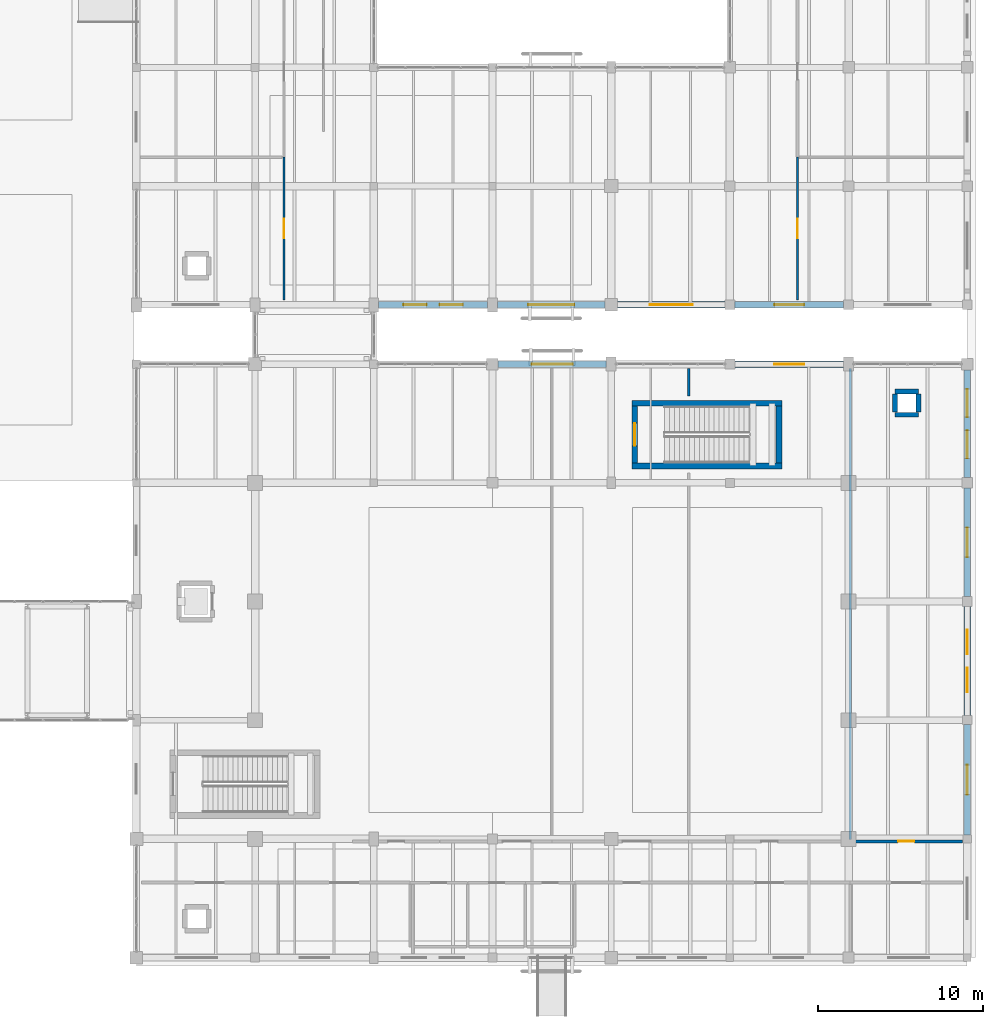
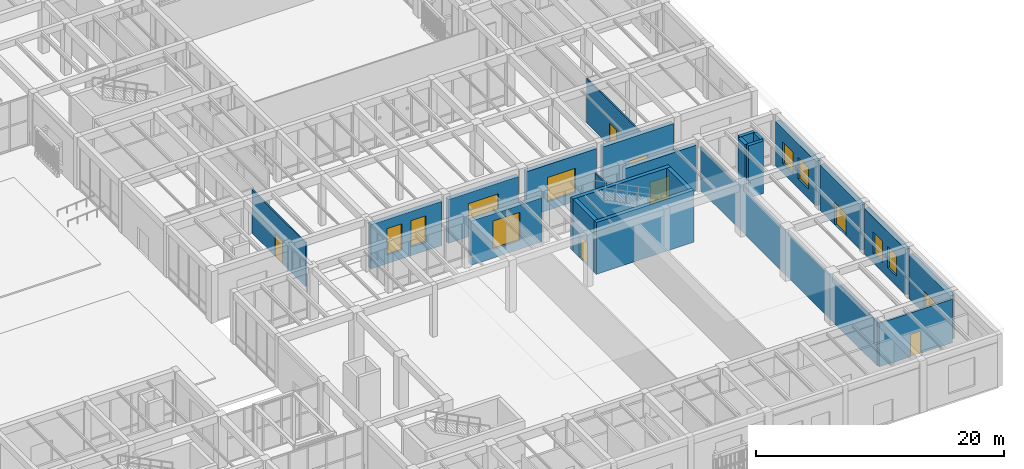
# One storey, part 130 of 169: 23 walls, 9 windows, 8 doors, 17 openings.
"""IFC4 building model written with IfcOpenShell, lengths in metres."""

import ifcopenshell
import ifcopenshell.guid

model = None  # the IFC model being written
_history = None  # IfcOwnerHistory: only IFC2X3 demands one
_inside = {}  # id of a spatial element -> (the spatial element, [elements in it])
_under = {}  # id of a project, library or spatial element -> (it, [spatial elements below it])
_declared = {}  # id of a project -> (the project, [libraries it declares])
_typed = {}  # id of a type object -> (the type object, [elements of that type])
_made_of = {}  # id of a material, layer set ... -> (it, [elements and type objects made of it])


def new_model(schema):
    """Start an empty IFC model of exactly this schema.

    Asked for "IFC4X3", IfcOpenShell would pick the latest addendum, in which some entities
    have other attributes; the version numbers below select the first issue.
    IFC2X3 requires an IfcOwnerHistory on every rooted entity: one is made here for all.
    """
    global model, _history
    if schema == "IFC4X3":
        model = ifcopenshell.file(schema_version=(4, 3, 0, 0))
    else:
        model = ifcopenshell.file(schema=schema)
    _inside.clear()
    _under.clear()
    _declared.clear()
    _typed.clear()
    _made_of.clear()
    _history = None
    if model.schema == "IFC2X3":
        org = make("IfcOrganization", Name="unknown")
        user = make(
            "IfcPersonAndOrganization",
            ThePerson=make("IfcPerson", FamilyName="unknown"),
            TheOrganization=org,
        )
        app = make(
            "IfcApplication",
            ApplicationDeveloper=org,
            Version="unknown",
            ApplicationFullName="unknown",
            ApplicationIdentifier="unknown",
        )
        _history = make(
            "IfcOwnerHistory",
            OwningUser=user,
            OwningApplication=app,
            ChangeAction="ADDED",
            CreationDate=0,
        )
    return model


def make(cls, **values):
    """One entity of the class cls with the attributes given. An attribute that is None is left unset."""
    return model.create_entity(
        cls, **{name: value for name, value in values.items() if value is not None}
    )


def rooted(cls, **values):
    """An entity with a GlobalId (a new one), such as an element, a storey or a relation."""
    return make(cls, GlobalId=ifcopenshell.guid.new(), OwnerHistory=_history, **values)


def si_unit(unit_type, name, prefix=None):
    """IfcSIUnit, for example si_unit("LENGTHUNIT", "METRE", prefix="MILLI")."""
    return make("IfcSIUnit", UnitType=unit_type, Prefix=prefix, Name=name)


def assignment(units):
    """IfcUnitAssignment: the units of a project."""
    return None if units is None else make("IfcUnitAssignment", Units=units)


def point(xyz):
    """IfcCartesianPoint."""
    return None if xyz is None else make("IfcCartesianPoint", Coordinates=xyz)


def direction(xyz):
    """IfcDirection."""
    return None if xyz is None else make("IfcDirection", DirectionRatios=xyz)


def frame(location, z_axis=None, x_axis=None):
    """IfcAxis2Placement3D, a coordinate frame: its origin and axes. An axis left out is left unset."""
    return make(
        "IfcAxis2Placement3D",
        Location=point(location),
        Axis=direction(z_axis),
        RefDirection=direction(x_axis),
    )


def frame_2d(location, x_axis=None):
    """IfcAxis2Placement2D, a coordinate frame in the plane: its origin and x axis."""
    return make(
        "IfcAxis2Placement2D", Location=point(location), RefDirection=direction(x_axis)
    )


def origin():
    """The frame at (0, 0, 0) with its axes left unset."""
    return frame((0.0, 0.0, 0.0))


def place(relative_to, where):
    """IfcLocalPlacement: puts the frame where relative to a parent placement (None: the world)."""
    return make(
        "IfcLocalPlacement", PlacementRelTo=relative_to, RelativePlacement=where
    )


def context(
    kind, dimensions, precision=None, world=None, true_north=None, identifier=None
):
    """IfcGeometricRepresentationContext, for example the 3D "Model" context."""
    return make(
        "IfcGeometricRepresentationContext",
        ContextIdentifier=identifier,
        ContextType=kind,
        CoordinateSpaceDimension=dimensions,
        Precision=precision,
        WorldCoordinateSystem=world,
        TrueNorth=true_north,
    )


def subcontext(parent, identifier, kind, view, scale=None):
    """IfcGeometricRepresentationSubContext, for example "Body" below "Model"."""
    return make(
        "IfcGeometricRepresentationSubContext",
        ContextIdentifier=identifier,
        ContextType=kind,
        ParentContext=parent,
        TargetScale=scale,
        TargetView=view,
    )


def project(units=None, contexts=None):
    """IfcProject with its units and contexts."""
    return rooted(
        "IfcProject",
        Name="project",
        RepresentationContexts=contexts,
        UnitsInContext=assignment(units),
    )


def spatial(cls, under=None, at=None, **own):
    """A site, building, storey or space (cls), placed at a placement, below another one or the project."""
    s = rooted(cls, ObjectPlacement=at, **own)
    if under is not None:
        _under.setdefault(under.id(), (under, []))[1].append(s)
    return s


def profile(cls, at=None, kind="AREA", **sizes):
    """A parametric profile (cls). Its sizes go by their IFC names, for example OverallWidth=200.0."""
    return make(cls, ProfileType=kind, Position=at, **sizes)


def rectangle(**sizes):
    """IfcRectangleProfileDef."""
    return profile("IfcRectangleProfileDef", **sizes)


def extrude(swept, where, along, depth):
    """IfcExtrudedAreaSolid: the profile swept, set in the frame where, extruded along a direction by depth."""
    return make(
        "IfcExtrudedAreaSolid",
        SweptArea=swept,
        Position=where,
        ExtrudedDirection=direction(along),
        Depth=depth,
    )


def shape(context_of_items, identifier, shape_type, items):
    """IfcShapeRepresentation: the items that make up one representation, for example the "Body"."""
    return make(
        "IfcShapeRepresentation",
        ContextOfItems=context_of_items,
        RepresentationIdentifier=identifier,
        RepresentationType=shape_type,
        Items=items,
    )


def material(Name=None, Category=None):
    """IfcMaterial."""
    return make("IfcMaterial", Name=Name, Category=Category)


def layer(
    of_material, thickness, ventilated=None, Name=None, Category=None, Priority=None
):
    """IfcMaterialLayer: one layer of a wall or slab, of a material (None: an air gap)."""
    return make(
        "IfcMaterialLayer",
        Material=of_material,
        LayerThickness=thickness,
        IsVentilated=ventilated,
        Name=Name,
        Category=Category,
        Priority=Priority,
    )


def layer_set(layers, Name=None):
    """IfcMaterialLayerSet."""
    return make("IfcMaterialLayerSet", MaterialLayers=layers, LayerSetName=Name)


def made_of(thing, what):
    """Note that an element or type object is made of a material, layer set ...; save() writes the relation."""
    if what is not None:
        _made_of.setdefault(what.id(), (what, []))[1].append(thing)
    return thing


def type_object(cls, material=None, **own):
    """A type object (cls), such as IfcWallType, which elements share."""
    return made_of(rooted(cls, **own), material)


def element(
    cls,
    number,
    at=None,
    inside=None,
    cuts=None,
    type_object=None,
    material=None,
    context=None,
    identifier="Body",
    shape_type=None,
    held_by="IfcProductDefinitionShape",
    body=None,
    shapes=None,
    **own,
):
    """One element of the class cls, such as IfcWall. Its Tag is "e" and its number.

    at: its placement. inside: the storey or other place that contains it. cuts: it is an
    opening in that element (IfcRelVoidsElement). A single representation is given by context,
    identifier, shape_type and body (its items); several are given by shapes. held_by: the class
    of the entity that holds the representations. save() writes the other relations.
    """
    e = rooted(cls, Tag="e%d" % number, ObjectPlacement=at, **own)
    if body is not None:
        shapes = [shape(context, identifier, shape_type, body)]
    if shapes is not None:
        e.Representation = make(held_by, Representations=shapes)
    if inside is not None:
        _inside.setdefault(inside.id(), (inside, []))[1].append(e)
    if cuts is not None:
        rooted(
            "IfcRelVoidsElement", RelatingBuildingElement=cuts, RelatedOpeningElement=e
        )
    if type_object is not None:
        _typed.setdefault(type_object.id(), (type_object, []))[1].append(e)
    return made_of(e, material)


def fill(opening, filler):
    """IfcRelFillsElement: the door or window that sits in an opening."""
    return rooted(
        "IfcRelFillsElement",
        RelatingOpeningElement=opening,
        RelatedBuildingElement=filler,
    )


def aggregate(whole, parts):
    """IfcRelAggregates: a whole, such as a stair, and the parts it consists of."""
    return rooted("IfcRelAggregates", RelatingObject=whole, RelatedObjects=parts)


def save(model, path):
    """Write the relations noted so far, then the file.

    IfcRelAggregates (storeys below a building ...), IfcRelContainedInSpatialStructure (elements
    in a storey), IfcRelDefinesByType, IfcRelAssociatesMaterial and IfcRelDeclares: one each for
    every whole, place, type object, material and project.
    """
    for whole, parts in _under.values():
        aggregate(whole, parts)
    for where, things in _inside.values():
        rooted(
            "IfcRelContainedInSpatialStructure",
            RelatedElements=things,
            RelatingStructure=where,
        )
    for kind, things in _typed.values():
        rooted("IfcRelDefinesByType", RelatedObjects=things, RelatingType=kind)
    for what, things in _made_of.values():
        rooted("IfcRelAssociatesMaterial", RelatedObjects=things, RelatingMaterial=what)
    for by, libraries in _declared.values():
        rooted("IfcRelDeclares", RelatingContext=by, RelatedDefinitions=libraries)
    model.write(path)


model = new_model("IFC4")

# Units and contexts
model_context = context("Model", 3, precision=1e-05, world=origin(), true_north=direction((0.0, 1.0)))
body_context = subcontext(model_context, "Body", "Model", "MODEL_VIEW")
ifc_project = project(units=[si_unit("LENGTHUNIT", "METRE"), si_unit("AREAUNIT", "SQUARE_METRE"), si_unit("VOLUMEUNIT", "CUBIC_METRE"), si_unit("PLANEANGLEUNIT", "RADIAN"), si_unit("MASSUNIT", "GRAM", prefix="KILO")], contexts=[model_context])

# Site, building, storey
site_placement = place(None, origin())
site = spatial("IfcSite", under=ifc_project, at=site_placement, CompositionType="ELEMENT")
building_placement = place(site_placement, origin())
building = spatial("IfcBuilding", under=site, at=building_placement, Name="Mazaris Harbour Polytechnic", CompositionType="ELEMENT")
storey_placement = place(building_placement, origin())
storey = spatial("IfcBuildingStorey", under=building, at=storey_placement, Name="L00", CompositionType="ELEMENT", Elevation=0.0)

# Wall
ifc_material_1 = material(Name="Double Gypsum and Mineral Wool")
ifc_layer_1 = layer(ifc_material_1, 0.14990234375, Name="Double Gypsum and Mineral Wool")
ifc_layer_set_1 = layer_set([ifc_layer_1], Name="Double Gypsum and Mineral Wool")
wall_type_1 = type_object("IfcWallType", Name="Classroom Acoustic Partition 150", PredefinedType="PARTITIONING", material=ifc_layer_set_1)
wall_1_placement = place(storey_placement, frame((165.697021484375, 14.3701171875, 0.0), z_axis=(0.0, 0.0, 1.0), x_axis=(0.0, 1.0, 0.0)))
element("IfcWall", 1, at=wall_1_placement, inside=storey, type_object=wall_type_1, Name="V2 L00 Partition 118", PredefinedType="PARTITIONING", context=body_context, shape_type="SweptSolid", body=[
    extrude(rectangle(XDim=28.579833984375, YDim=0.14990234375, at=frame_2d((14.2900390625, 0.0))), origin(), (0.0, 0.0, 1.0), 4.300048828125),
])

# Wall, opening, door
ifc_material_2 = material(Name="Terracotta Block and Plaster", Category="masonry")
ifc_layer_2 = layer(ifc_material_2, 0.179931640625, Name="Terracotta Block and Plaster")
ifc_layer_set_2 = layer_set([ifc_layer_2], Name="Terracotta Block and Plaster")
wall_type_2 = type_object("IfcWallType", Name="Corridor Fire Partition 180", PredefinedType="PARTITIONING", material=ifc_layer_set_2)
wall_2_placement = place(storey_placement, frame((165.701904296875, 14.25, 0.0), z_axis=(0.0, 0.0, 1.0), x_axis=(1.0, 0.0, 0.0)))
wall_2 = element("IfcWall", 2, at=wall_2_placement, inside=storey, type_object=wall_type_2, Name="V2 L00 Partition 119", PredefinedType="PARTITIONING", context=body_context, shape_type="SweptSolid", body=[
    extrude(rectangle(XDim=6.798095703125, YDim=0.179931640625, at=frame_2d((3.39892578125, 0.0))), origin(), (0.0, 0.0, 1.0), 4.300048828125),
])
opening_1_placement = place(wall_2_placement, frame((2.908935546875, 0.0, 0.0)))
opening_1 = element("IfcOpeningElement", 3, at=opening_1_placement, cuts=wall_2, Name="Opening ID-08L", PredefinedType="OPENING", context=body_context, shape_type="SweptSolid", body=[
    extrude(rectangle(XDim=0.97998046875, YDim=2.179931640625, at=frame_2d((0.489990234375, 1.08984375))), frame((0.0, 0.099853515625, 0.0), z_axis=(0.0, -1.0, 0.0), x_axis=(1.0, 0.0, 0.0)), (0.0, 0.0, 1.0), 0.199951171875),
])
ifc_material_3 = material(Name="Solid Oak Timber", Category="wood")
door_type_1 = type_object("IfcDoorType", Name="Seminar Room Door LH 980x2180", OperationType="SINGLE_SWING_LEFT", PredefinedType="DOOR", material=ifc_material_3)
door_1_placement = place(opening_1_placement, origin())
door_1 = element("IfcDoor", 4, at=door_1_placement, inside=storey, type_object=door_type_1, Name="ID-0056", OperationType="SINGLE_SWING_LEFT", OverallHeight=2.179931640625, OverallWidth=0.97998046875, PredefinedType="DOOR", context=body_context, shape_type="SweptSolid", body=[
    extrude(rectangle(XDim=0.97998046875, YDim=2.179931640625, at=frame_2d((0.489990234375, 1.08984375))), frame((0.0, 0.02490234375, 0.0), z_axis=(0.0, -1.0, 0.0), x_axis=(1.0, 0.0, 0.0)), (0.0, 0.0, 1.0), 0.050048828125),
])
fill(opening_1, door_1)

# Wall, opening, window
ifc_material_4 = material(Name="Algerian Buff Limestone and Concrete C35/45", Category="masonry")
ifc_layer_3 = layer(ifc_material_4, 0.409912109375, Name="Algerian Buff Limestone and Concrete C35/45")
ifc_layer_set_3 = layer_set([ifc_layer_3], Name="Algerian Buff Limestone and Concrete C35/45")
wall_type_3 = type_object("IfcWallType", Name="Limestone Rusticated Base Wall 410", PredefinedType="STANDARD", material=ifc_layer_set_3)
wall_3_placement = place(storey_placement, frame((144.342041015625, 43.199951171875, 0.0), z_axis=(0.0, 0.0, 1.0), x_axis=(1.0, 0.0, 0.0)))
wall_3 = element("IfcWall", 5, at=wall_3_placement, inside=storey, type_object=wall_type_3, Name="V2 L00 Exterior Wall 42", PredefinedType="STANDARD", context=body_context, shape_type="SweptSolid", body=[
    extrude(rectangle(XDim=6.56591796875, YDim=0.409912109375, at=frame_2d((3.282958984375, 0.0))), origin(), (0.0, 0.0, 1.0), 4.35009765625),
])
opening_2_placement = place(wall_3_placement, frame((2.032958984375, 0.0, 0.85009765625)))
opening_2 = element("IfcOpeningElement", 6, at=opening_2_placement, cuts=wall_3, Name="Opening WN-18", PredefinedType="OPENING", context=body_context, shape_type="SweptSolid", body=[
    extrude(rectangle(XDim=2.5, YDim=2.800048828125, at=frame_2d((1.25, 1.39990234375))), frame((0.0, 0.21484375, 0.0), z_axis=(0.0, -1.0, 0.0), x_axis=(1.0, 0.0, 0.0)), (0.0, 0.0, 1.0), 0.429931640625),
])
ifc_material_5 = material(Name="Thermally Broken Bronze Aluminium and Low-E Glass", Category="aluminium")
window_type_1 = type_object("IfcWindowType", Name="Pavilion Foyer Window 2500x2800", PartitioningType="DOUBLE_PANEL_VERTICAL", PredefinedType="WINDOW", material=ifc_material_5)
window_1_placement = place(opening_2_placement, origin())
window_1 = element("IfcWindow", 7, at=window_1_placement, inside=storey, type_object=window_type_1, Name="WN-0032", OverallHeight=2.800048828125, OverallWidth=2.5, PartitioningType="DOUBLE_PANEL_VERTICAL", PredefinedType="WINDOW", context=body_context, shape_type="SweptSolid", body=[
    extrude(rectangle(XDim=2.5, YDim=2.800048828125, at=frame_2d((1.25, 1.39990234375))), frame((0.0, 0.030029296875, 0.0), z_axis=(0.0, -1.0, 0.0), x_axis=(1.0, 0.0, 0.0)), (0.0, 0.0, 1.0), 0.06005859375),
])
fill(opening_2, window_1)

# Wall, opening, door
wall_4_placement = place(storey_placement, frame((158.69189453125, 43.199951171875, 0.0), z_axis=(0.0, 0.0, 1.0), x_axis=(1.0, 0.0, 0.0)))
wall_4 = element("IfcWall", 8, at=wall_4_placement, inside=storey, type_object=wall_type_3, Name="V2 L00 Exterior Wall 43", PredefinedType="STANDARD", context=body_context, shape_type="SweptSolid", body=[
    extrude(rectangle(XDim=6.6162109375, YDim=0.409912109375, at=frame_2d((3.30810546875, 0.0))), origin(), (0.0, 0.0, 1.0), 4.5),
])
opening_3_placement = place(wall_4_placement, frame((2.407958984375, 0.0, 0.0)))
opening_3 = element("IfcOpeningElement", 9, at=opening_3_placement, cuts=wall_4, Name="Opening ED-03", PredefinedType="OPENING", context=body_context, shape_type="SweptSolid", body=[
    extrude(rectangle(XDim=1.800048828125, YDim=2.199951171875, at=frame_2d((0.89990234375, 1.10009765625))), frame((0.0, 0.21484375, 0.0), z_axis=(0.0, -1.0, 0.0), x_axis=(1.0, 0.0, 0.0)), (0.0, 0.0, 1.0), 0.429931640625),
])
ifc_material_6 = material(Name="Anodised Bronze Steel and Laminated Safety Glass", Category="steel")
door_type_2 = type_object("IfcDoorType", Name="Perimeter Final Exit Door 1800x2200", OperationType="DOUBLE_DOOR_SINGLE_SWING", PredefinedType="DOOR", material=ifc_material_6)
door_2_placement = place(opening_3_placement, origin())
door_2 = element("IfcDoor", 10, at=door_2_placement, inside=storey, type_object=door_type_2, Name="EXD-009", OperationType="DOUBLE_DOOR_SINGLE_SWING", OverallHeight=2.199951171875, OverallWidth=1.800048828125, PredefinedType="DOOR", context=body_context, shape_type="SweptSolid", body=[
    extrude(rectangle(XDim=1.800048828125, YDim=2.199951171875, at=frame_2d((0.89990234375, 1.10009765625))), frame((0.0, 0.02490234375, 0.0), z_axis=(0.0, -1.0, 0.0), x_axis=(1.0, 0.0, 0.0)), (0.0, 0.0, 1.0), 0.050048828125),
])
fill(opening_3, door_2)

wall_5_placement = place(storey_placement, frame((172.800048828125, 21.3330078125, 0.0), z_axis=(0.0, 0.0, 1.0), x_axis=(0.0, -1.0, 0.0)))
wall_5 = element("IfcWall", 11, at=wall_5_placement, inside=storey, type_object=wall_type_3, Name="V2 L00 Exterior Wall 47", PredefinedType="STANDARD", context=body_context, shape_type="SweptSolid", body=[
    extrude(rectangle(XDim=6.69091796875, YDim=0.409912109375, at=frame_2d((3.345458984375, 0.0))), origin(), (0.0, 0.0, 1.0), 4.300048828125),
])
opening_4_placement = place(wall_5_placement, frame((2.445556640625, 0.0, 0.0)))
opening_4 = element("IfcOpeningElement", 12, at=opening_4_placement, cuts=wall_5, Name="Opening ED-03", PredefinedType="OPENING", context=body_context, shape_type="SweptSolid", body=[
    extrude(rectangle(XDim=1.800048828125, YDim=2.199951171875, at=frame_2d((0.89990234375, 1.10009765625))), frame((0.0, 0.21484375, 0.0), z_axis=(0.0, -1.0, 0.0), x_axis=(1.0, 0.0, 0.0)), (0.0, 0.0, 1.0), 0.429931640625),
])
door_3_placement = place(opening_4_placement, origin())
door_3 = element("IfcDoor", 13, at=door_3_placement, inside=storey, type_object=door_type_2, Name="EXD-012", OperationType="DOUBLE_DOOR_SINGLE_SWING", OverallHeight=2.199951171875, OverallWidth=1.800048828125, PredefinedType="DOOR", context=body_context, shape_type="SweptSolid", body=[
    extrude(rectangle(XDim=1.800048828125, YDim=2.199951171875, at=frame_2d((0.89990234375, 1.10009765625))), frame((0.0, 0.02490234375, 0.0), z_axis=(0.0, -1.0, 0.0), x_axis=(1.0, 0.0, 0.0)), (0.0, 0.0, 1.0), 0.050048828125),
])
fill(opening_4, door_3)

# Wall, openings, windows
wall_6_placement = place(storey_placement, frame((172.800048828125, 28.508056640625, 0.0), z_axis=(0.0, 0.0, 1.0), x_axis=(0.0, -1.0, 0.0)))
wall_6 = element("IfcWall", 14, at=wall_6_placement, inside=storey, type_object=wall_type_3, Name="V2 L00 Exterior Wall 48", PredefinedType="STANDARD", context=body_context, shape_type="SweptSolid", body=[
    extrude(rectangle(XDim=6.64111328125, YDim=0.409912109375, at=frame_2d((3.320556640625, 0.0))), origin(), (0.0, 0.0, 1.0), 4.5),
])
opening_5_placement = place(wall_6_placement, frame((1.42041015625, 0.0, 0.949951171875)))
opening_5 = element("IfcOpeningElement", 15, at=opening_5_placement, cuts=wall_6, Name="Opening WN-10", PredefinedType="OPENING", context=body_context, shape_type="SweptSolid", body=[
    extrude(rectangle(XDim=1.5, YDim=2.10009765625, at=frame_2d((0.75, 1.050048828125))), frame((0.0, 0.21484375, 0.0), z_axis=(0.0, -1.0, 0.0), x_axis=(1.0, 0.0, 0.0)), (0.0, 0.0, 1.0), 0.429931640625),
])
opening_6_placement = place(wall_6_placement, frame((3.720458984375, 0.0, 0.949951171875)))
opening_6 = element("IfcOpeningElement", 16, at=opening_6_placement, cuts=wall_6, Name="Opening WN-10", PredefinedType="OPENING", context=body_context, shape_type="SweptSolid", body=[
    extrude(rectangle(XDim=1.5, YDim=2.10009765625, at=frame_2d((0.75, 1.050048828125))), frame((0.0, 0.21484375, 0.0), z_axis=(0.0, -1.0, 0.0), x_axis=(1.0, 0.0, 0.0)), (0.0, 0.0, 1.0), 0.429931640625),
])
ifc_material_7 = material(Name="Thermally Broken Bronze Aluminium and Low-E Glass", Category="aluminium")
window_type_2 = type_object("IfcWindowType", Name="Seminar Casement Window 1500x2100", PartitioningType="DOUBLE_PANEL_VERTICAL", PredefinedType="WINDOW", material=ifc_material_7)
window_2_placement = place(opening_5_placement, origin())
window_2 = element("IfcWindow", 17, at=window_2_placement, inside=storey, type_object=window_type_2, Name="WN-0034", OverallHeight=2.10009765625, OverallWidth=1.5, PartitioningType="DOUBLE_PANEL_VERTICAL", PredefinedType="WINDOW", context=body_context, shape_type="SweptSolid", body=[
    extrude(rectangle(XDim=1.5, YDim=2.10009765625, at=frame_2d((0.75, 1.050048828125))), frame((0.0, 0.030029296875, 0.0), z_axis=(0.0, -1.0, 0.0), x_axis=(1.0, 0.0, 0.0)), (0.0, 0.0, 1.0), 0.06005859375),
])
fill(opening_5, window_2)
window_3_placement = place(opening_6_placement, origin())
window_3 = element("IfcWindow", 18, at=window_3_placement, inside=storey, type_object=window_type_2, Name="WN-0035", OverallHeight=2.10009765625, OverallWidth=1.5, PartitioningType="DOUBLE_PANEL_VERTICAL", PredefinedType="WINDOW", context=body_context, shape_type="SweptSolid", body=[
    extrude(rectangle(XDim=1.5, YDim=2.10009765625, at=frame_2d((0.75, 1.050048828125))), frame((0.0, 0.030029296875, 0.0), z_axis=(0.0, -1.0, 0.0), x_axis=(1.0, 0.0, 0.0)), (0.0, 0.0, 1.0), 0.06005859375),
])
fill(opening_6, window_3)

# Wall, opening, door
wall_7_placement = place(storey_placement, frame((172.800048828125, 35.68310546875, 0.0), z_axis=(0.0, 0.0, 1.0), x_axis=(0.0, -1.0, 0.0)))
wall_7 = element("IfcWall", 19, at=wall_7_placement, inside=storey, type_object=wall_type_3, Name="V2 L00 Exterior Wall 49", PredefinedType="STANDARD", context=body_context, shape_type="SweptSolid", body=[
    extrude(rectangle(XDim=6.591064453125, YDim=0.409912109375, at=frame_2d((3.29541015625, 0.0))), origin(), (0.0, 0.0, 1.0), 4.449951171875),
])
opening_7_placement = place(wall_7_placement, frame((2.3955078125, 0.0, 0.0)))
opening_7 = element("IfcOpeningElement", 20, at=opening_7_placement, cuts=wall_7, Name="Opening ED-03", PredefinedType="OPENING", context=body_context, shape_type="SweptSolid", body=[
    extrude(rectangle(XDim=1.800048828125, YDim=2.199951171875, at=frame_2d((0.89990234375, 1.10009765625))), frame((0.0, 0.21484375, 0.0), z_axis=(0.0, -1.0, 0.0), x_axis=(1.0, 0.0, 0.0)), (0.0, 0.0, 1.0), 0.429931640625),
])
door_4_placement = place(opening_7_placement, origin())
door_4 = element("IfcDoor", 21, at=door_4_placement, inside=storey, type_object=door_type_2, Name="EXD-013", OperationType="DOUBLE_DOOR_SINGLE_SWING", OverallHeight=2.199951171875, OverallWidth=1.800048828125, PredefinedType="DOOR", context=body_context, shape_type="SweptSolid", body=[
    extrude(rectangle(XDim=1.800048828125, YDim=2.199951171875, at=frame_2d((0.89990234375, 1.10009765625))), frame((0.0, 0.02490234375, 0.0), z_axis=(0.0, -1.0, 0.0), x_axis=(1.0, 0.0, 0.0)), (0.0, 0.0, 1.0), 0.050048828125),
])
fill(opening_7, door_4)

# Wall, openings, windows
wall_8_placement = place(storey_placement, frame((172.800048828125, 42.85791015625, 0.0), z_axis=(0.0, 0.0, 1.0), x_axis=(0.0, -1.0, 0.0)))
wall_8 = element("IfcWall", 22, at=wall_8_placement, inside=storey, type_object=wall_type_3, Name="V2 L00 Exterior Wall 50", PredefinedType="STANDARD", context=body_context, shape_type="SweptSolid", body=[
    extrude(rectangle(XDim=6.541015625, YDim=0.409912109375, at=frame_2d((3.2705078125, 0.0))), origin(), (0.0, 0.0, 1.0), 4.39990234375),
])
opening_8_placement = place(wall_8_placement, frame((1.17041015625, 0.0, 0.949951171875)))
opening_8 = element("IfcOpeningElement", 23, at=opening_8_placement, cuts=wall_8, Name="Opening WN-11", PredefinedType="OPENING", context=body_context, shape_type="SweptSolid", body=[
    extrude(rectangle(XDim=1.699951171875, YDim=2.10009765625, at=frame_2d((0.85009765625, 1.050048828125))), frame((0.0, 0.21484375, 0.0), z_axis=(0.0, -1.0, 0.0), x_axis=(1.0, 0.0, 0.0)), (0.0, 0.0, 1.0), 0.429931640625),
])
opening_9_placement = place(wall_8_placement, frame((3.67041015625, 0.0, 0.949951171875)))
opening_9 = element("IfcOpeningElement", 24, at=opening_9_placement, cuts=wall_8, Name="Opening WN-11", PredefinedType="OPENING", context=body_context, shape_type="SweptSolid", body=[
    extrude(rectangle(XDim=1.699951171875, YDim=2.10009765625, at=frame_2d((0.85009765625, 1.050048828125))), frame((0.0, 0.21484375, 0.0), z_axis=(0.0, -1.0, 0.0), x_axis=(1.0, 0.0, 0.0)), (0.0, 0.0, 1.0), 0.429931640625),
])
ifc_material_8 = material(Name="Thermally Broken Bronze Aluminium and Low-E Glass", Category="aluminium")
window_type_3 = type_object("IfcWindowType", Name="Seminar Casement Window 1700x2100", PartitioningType="DOUBLE_PANEL_VERTICAL", PredefinedType="WINDOW", material=ifc_material_8)
window_4_placement = place(opening_8_placement, origin())
window_4 = element("IfcWindow", 25, at=window_4_placement, inside=storey, type_object=window_type_3, Name="WN-0036", OverallHeight=2.10009765625, OverallWidth=1.699951171875, PartitioningType="DOUBLE_PANEL_VERTICAL", PredefinedType="WINDOW", context=body_context, shape_type="SweptSolid", body=[
    extrude(rectangle(XDim=1.699951171875, YDim=2.10009765625, at=frame_2d((0.85009765625, 1.050048828125))), frame((0.0, 0.030029296875, 0.0), z_axis=(0.0, -1.0, 0.0), x_axis=(1.0, 0.0, 0.0)), (0.0, 0.0, 1.0), 0.06005859375),
])
fill(opening_8, window_4)
window_5_placement = place(opening_9_placement, origin())
window_5 = element("IfcWindow", 26, at=window_5_placement, inside=storey, type_object=window_type_3, Name="WN-0037", OverallHeight=2.10009765625, OverallWidth=1.699951171875, PartitioningType="DOUBLE_PANEL_VERTICAL", PredefinedType="WINDOW", context=body_context, shape_type="SweptSolid", body=[
    extrude(rectangle(XDim=1.699951171875, YDim=2.10009765625, at=frame_2d((0.85009765625, 1.050048828125))), frame((0.0, 0.030029296875, 0.0), z_axis=(0.0, -1.0, 0.0), x_axis=(1.0, 0.0, 0.0)), (0.0, 0.0, 1.0), 0.06005859375),
])
fill(opening_9, window_5)

wall_9_placement = place(storey_placement, frame((143.7080078125, 46.800048828125, 0.0), z_axis=(0.0, 0.0, 1.0), x_axis=(-1.0, 0.0, 0.0)))
wall_9 = element("IfcWall", 27, at=wall_9_placement, inside=storey, type_object=wall_type_3, Name="V5 L00 Exterior Wall 290", PredefinedType="STANDARD", context=body_context, shape_type="SweptSolid", body=[
    extrude(rectangle(XDim=6.615966796875, YDim=0.409912109375, at=frame_2d((3.30810546875, 0.0))), origin(), (0.0, 0.0, 1.0), 4.35009765625),
])
opening_10_placement = place(wall_9_placement, frame((1.508056640625, 0.0, 0.85009765625)))
opening_10 = element("IfcOpeningElement", 28, at=opening_10_placement, cuts=wall_9, Name="Opening WN-01", PredefinedType="OPENING", context=body_context, shape_type="SweptSolid", body=[
    extrude(rectangle(XDim=1.39990234375, YDim=2.60009765625, at=frame_2d((0.699951171875, 1.300048828125))), frame((0.0, 0.21484375, 0.0), z_axis=(0.0, -1.0, 0.0), x_axis=(1.0, 0.0, 0.0)), (0.0, 0.0, 1.0), 0.429931640625),
])
opening_11_placement = place(wall_9_placement, frame((3.7080078125, 0.0, 0.85009765625)))
opening_11 = element("IfcOpeningElement", 29, at=opening_11_placement, cuts=wall_9, Name="Opening WN-01", PredefinedType="OPENING", context=body_context, shape_type="SweptSolid", body=[
    extrude(rectangle(XDim=1.39990234375, YDim=2.60009765625, at=frame_2d((0.699951171875, 1.300048828125))), frame((0.0, 0.21484375, 0.0), z_axis=(0.0, -1.0, 0.0), x_axis=(1.0, 0.0, 0.0)), (0.0, 0.0, 1.0), 0.429931640625),
])
ifc_material_9 = material(Name="Thermally Broken Bronze Aluminium and Low-E Glass", Category="aluminium")
window_type_4 = type_object("IfcWindowType", Name="Neoclassical Tall Window 1400x2600", PartitioningType="DOUBLE_PANEL_VERTICAL", PredefinedType="WINDOW", material=ifc_material_9)
window_6_placement = place(opening_10_placement, origin())
window_6 = element("IfcWindow", 30, at=window_6_placement, inside=storey, type_object=window_type_4, Name="WN-0349", OverallHeight=2.60009765625, OverallWidth=1.39990234375, PartitioningType="DOUBLE_PANEL_VERTICAL", PredefinedType="WINDOW", context=body_context, shape_type="SweptSolid", body=[
    extrude(rectangle(XDim=1.39990234375, YDim=2.60009765625, at=frame_2d((0.699951171875, 1.300048828125))), frame((0.0, 0.030029296875, 0.0), z_axis=(0.0, -1.0, 0.0), x_axis=(1.0, 0.0, 0.0)), (0.0, 0.0, 1.0), 0.06005859375),
])
fill(opening_10, window_6)
window_7_placement = place(opening_11_placement, origin())
window_7 = element("IfcWindow", 31, at=window_7_placement, inside=storey, type_object=window_type_4, Name="WN-0350", OverallHeight=2.60009765625, OverallWidth=1.39990234375, PartitioningType="DOUBLE_PANEL_VERTICAL", PredefinedType="WINDOW", context=body_context, shape_type="SweptSolid", body=[
    extrude(rectangle(XDim=1.39990234375, YDim=2.60009765625, at=frame_2d((0.699951171875, 1.300048828125))), frame((0.0, 0.030029296875, 0.0), z_axis=(0.0, -1.0, 0.0), x_axis=(1.0, 0.0, 0.0)), (0.0, 0.0, 1.0), 0.06005859375),
])
fill(opening_11, window_7)

# Wall, opening, window
wall_10_placement = place(storey_placement, frame((150.8330078125, 46.800048828125, 0.0), z_axis=(0.0, 0.0, 1.0), x_axis=(-1.0, 0.0, 0.0)))
wall_10 = element("IfcWall", 32, at=wall_10_placement, inside=storey, type_object=wall_type_3, Name="V5 L00 Exterior Wall 291", PredefinedType="STANDARD", context=body_context, shape_type="SweptSolid", body=[
    extrude(rectangle(XDim=6.541015625, YDim=0.409912109375, at=frame_2d((3.2705078125, 0.0))), origin(), (0.0, 0.0, 1.0), 4.300048828125),
])
opening_12_placement = place(wall_10_placement, frame((1.87060546875, 0.0, 0.85009765625)))
opening_12 = element("IfcOpeningElement", 33, at=opening_12_placement, cuts=wall_10, Name="Opening WN-09", PredefinedType="OPENING", context=body_context, shape_type="SweptSolid", body=[
    extrude(rectangle(XDim=2.800048828125, YDim=2.39990234375, at=frame_2d((1.39990234375, 1.199951171875))), frame((0.0, 0.21484375, 0.0), z_axis=(0.0, -1.0, 0.0), x_axis=(1.0, 0.0, 0.0)), (0.0, 0.0, 1.0), 0.429931640625),
])
ifc_material_10 = material(Name="Thermally Broken Bronze Aluminium and Low-E Glass", Category="aluminium")
window_type_5 = type_object("IfcWindowType", Name="Studio North Window 2800x2400", PartitioningType="DOUBLE_PANEL_VERTICAL", PredefinedType="WINDOW", material=ifc_material_10)
window_8_placement = place(opening_12_placement, origin())
window_8 = element("IfcWindow", 34, at=window_8_placement, inside=storey, type_object=window_type_5, Name="WN-0351", OverallHeight=2.39990234375, OverallWidth=2.800048828125, PartitioningType="DOUBLE_PANEL_VERTICAL", PredefinedType="WINDOW", context=body_context, shape_type="SweptSolid", body=[
    extrude(rectangle(XDim=2.800048828125, YDim=2.39990234375, at=frame_2d((1.39990234375, 1.199951171875))), frame((0.0, 0.030029296875, 0.0), z_axis=(0.0, -1.0, 0.0), x_axis=(1.0, 0.0, 0.0)), (0.0, 0.0, 1.0), 0.06005859375),
])
fill(opening_12, window_8)

wall_11_placement = place(storey_placement, frame((158.10791015625, 46.800048828125, 0.0), z_axis=(0.0, 0.0, 1.0), x_axis=(-1.0, 0.0, 0.0)))
wall_11 = element("IfcWall", 35, at=wall_11_placement, inside=storey, type_object=wall_type_3, Name="V5 L00 Exterior Wall 292", PredefinedType="STANDARD", context=body_context, shape_type="SweptSolid", body=[
    extrude(rectangle(XDim=6.541015625, YDim=0.409912109375, at=frame_2d((3.2705078125, 0.0))), origin(), (0.0, 0.0, 1.0), 4.5),
])
opening_13_placement = place(wall_11_placement, frame((1.970458984375, 0.0, 0.85009765625)))
opening_13 = element("IfcOpeningElement", 36, at=opening_13_placement, cuts=wall_11, Name="Opening WN-08", PredefinedType="OPENING", context=body_context, shape_type="SweptSolid", body=[
    extrude(rectangle(XDim=2.60009765625, YDim=2.39990234375, at=frame_2d((1.300048828125, 1.199951171875))), frame((0.0, 0.21484375, 0.0), z_axis=(0.0, -1.0, 0.0), x_axis=(1.0, 0.0, 0.0)), (0.0, 0.0, 1.0), 0.429931640625),
])
ifc_material_11 = material(Name="Thermally Broken Bronze Aluminium and Low-E Glass", Category="aluminium")
window_type_6 = type_object("IfcWindowType", Name="Studio North Window 2600x2400", PartitioningType="DOUBLE_PANEL_VERTICAL", PredefinedType="WINDOW", material=ifc_material_11)
window_9_placement = place(opening_13_placement, origin())
window_9 = element("IfcWindow", 37, at=window_9_placement, inside=storey, type_object=window_type_6, Name="WN-0352", OverallHeight=2.39990234375, OverallWidth=2.60009765625, PartitioningType="DOUBLE_PANEL_VERTICAL", PredefinedType="WINDOW", context=body_context, shape_type="SweptSolid", body=[
    extrude(rectangle(XDim=2.60009765625, YDim=2.39990234375, at=frame_2d((1.300048828125, 1.199951171875))), frame((0.0, 0.030029296875, 0.0), z_axis=(0.0, -1.0, 0.0), x_axis=(1.0, 0.0, 0.0)), (0.0, 0.0, 1.0), 0.06005859375),
])
fill(opening_13, window_9)

# Wall, opening, door
wall_12_placement = place(storey_placement, frame((165.30810546875, 46.800048828125, 0.0), z_axis=(0.0, 0.0, 1.0), x_axis=(-1.0, 0.0, 0.0)))
wall_12 = element("IfcWall", 38, at=wall_12_placement, inside=storey, type_object=wall_type_3, Name="V5 L00 Exterior Wall 293", PredefinedType="STANDARD", context=body_context, shape_type="SweptSolid", body=[
    extrude(rectangle(XDim=6.6162109375, YDim=0.409912109375, at=frame_2d((3.30810546875, 0.0))), origin(), (0.0, 0.0, 1.0), 4.449951171875),
])
opening_14_placement = place(wall_12_placement, frame((2.407958984375, 0.0, 0.0)))
opening_14 = element("IfcOpeningElement", 39, at=opening_14_placement, cuts=wall_12, Name="Opening ED-03", PredefinedType="OPENING", context=body_context, shape_type="SweptSolid", body=[
    extrude(rectangle(XDim=1.800048828125, YDim=2.199951171875, at=frame_2d((0.89990234375, 1.10009765625))), frame((0.0, 0.21484375, 0.0), z_axis=(0.0, -1.0, 0.0), x_axis=(1.0, 0.0, 0.0)), (0.0, 0.0, 1.0), 0.429931640625),
])
door_5_placement = place(opening_14_placement, origin())
door_5 = element("IfcDoor", 40, at=door_5_placement, inside=storey, type_object=door_type_2, Name="EXD-029", OperationType="DOUBLE_DOOR_SINGLE_SWING", OverallHeight=2.199951171875, OverallWidth=1.800048828125, PredefinedType="DOOR", context=body_context, shape_type="SweptSolid", body=[
    extrude(rectangle(XDim=1.800048828125, YDim=2.199951171875, at=frame_2d((0.89990234375, 1.10009765625))), frame((0.0, 0.02490234375, 0.0), z_axis=(0.0, -1.0, 0.0), x_axis=(1.0, 0.0, 0.0)), (0.0, 0.0, 1.0), 0.050048828125),
])
fill(opening_14, door_5)

# Walls
ifc_material_12 = material(Name="Concrete C40/50", Category="concrete")
ifc_layer_4 = layer(ifc_material_12, 0.35009765625, Name="Concrete C40/50")
ifc_layer_set_4 = layer_set([ifc_layer_4], Name="Concrete C40/50")
wall_type_4 = type_object("IfcWallType", Name="RC Core Shear Wall 350", PredefinedType="SHEAR", material=ifc_layer_set_4)
for number, where, z_axis, x_axis, name in (
    (41, (152.449951171875, 37.02490234375, 0.0), (0.0, 0.0, 1.0), (1.0, 0.0, 0.0), "Core ST04 L00 Shear Wall S"),
    (42, (161.550048828125, 40.824951171875, 0.0), (0.0, 0.0, 1.0), (-1.0, 0.0, 0.0), "Core ST04 L00 Shear Wall N"),
):
    element("IfcWall", number, at=place(storey_placement, frame(where, z_axis=z_axis, x_axis=x_axis)), inside=storey, type_object=wall_type_4, Name=name, PredefinedType="SHEAR", context=body_context, shape_type="SweptSolid", body=[
        extrude(rectangle(XDim=9.10009765625, YDim=0.35009765625, at=frame_2d((4.550048828125, 0.0))), origin(), (0.0, 0.0, 1.0), 5.10009765625),
    ])
wall_13_placement = place(storey_placement, frame((161.375, 37.199951171875, 0.0), z_axis=(0.0, 0.0, 1.0), x_axis=(0.0, 1.0, 0.0)))
element("IfcWall", 43, at=wall_13_placement, inside=storey, type_object=wall_type_4, Name="Core ST04 L00 Shear Wall E", PredefinedType="SHEAR", context=body_context, shape_type="SweptSolid", body=[
    extrude(rectangle(XDim=3.449951171875, YDim=0.35009765625, at=frame_2d((1.72509765625, 0.0))), origin(), (0.0, 0.0, 1.0), 5.10009765625),
])

# Wall, opening, door
wall_14_placement = place(storey_placement, frame((152.625, 40.64990234375, 0.0), z_axis=(0.0, 0.0, 1.0), x_axis=(0.0, -1.0, 0.0)))
wall_14 = element("IfcWall", 44, at=wall_14_placement, inside=storey, type_object=wall_type_4, Name="Core ST04 L00 Entrance Shear Wall", PredefinedType="SHEAR", context=body_context, shape_type="SweptSolid", body=[
    extrude(rectangle(XDim=3.449951171875, YDim=0.35009765625, at=frame_2d((1.72509765625, 0.0))), origin(), (0.0, 0.0, 1.0), 5.10009765625),
])
opening_15_placement = place(wall_14_placement, frame((1.034912109375, 0.0, 0.0)))
opening_15 = element("IfcOpeningElement", 45, at=opening_15_placement, cuts=wall_14, Name="Opening SD-01", PredefinedType="OPENING", context=body_context, shape_type="SweptSolid", body=[
    extrude(rectangle(XDim=1.3798828125, YDim=2.199951171875, at=frame_2d((0.68994140625, 1.10009765625))), frame((0.0, 0.18505859375, 0.0), z_axis=(0.0, -1.0, 0.0), x_axis=(1.0, 0.0, 0.0)), (0.0, 0.0, 1.0), 0.3701171875),
])
ifc_material_13 = material(Name="Glulam Timber and Fire Glass", Category="wood")
door_type_3 = type_object("IfcDoorType", Name="Protected Stair Lobby Fire Door 1380x2200", OperationType="DOUBLE_DOOR_SINGLE_SWING", PredefinedType="DOOR", material=ifc_material_13)
door_6_placement = place(opening_15_placement, origin())
door_6 = element("IfcDoor", 46, at=door_6_placement, inside=storey, type_object=door_type_3, Name="SD-015", OperationType="DOUBLE_DOOR_SINGLE_SWING", OverallHeight=2.199951171875, OverallWidth=1.3798828125, PredefinedType="DOOR", context=body_context, shape_type="SweptSolid", body=[
    extrude(rectangle(XDim=1.3798828125, YDim=2.199951171875, at=frame_2d((0.68994140625, 1.10009765625))), frame((0.0, 0.02490234375, 0.0), z_axis=(0.0, -1.0, 0.0), x_axis=(1.0, 0.0, 0.0)), (0.0, 0.0, 1.0), 0.050048828125),
])
fill(opening_15, door_6)

# Walls
ifc_material_14 = material(Name="Concrete C40/50", Category="concrete")
ifc_layer_5 = layer(ifc_material_14, 0.300048828125, Name="Concrete C40/50")
ifc_layer_set_5 = layer_set([ifc_layer_5], Name="Concrete C40/50")
wall_type_5 = type_object("IfcWallType", Name="RC Lift Shaft Wall 300", PredefinedType="SHEAR", material=ifc_layer_set_5)
wall_15_placement = place(storey_placement, frame((168.429931640625, 40.1298828125, 0.0), z_axis=(0.0, 0.0, 1.0), x_axis=(1.0, 0.0, 0.0)))
element("IfcWall", 47, at=wall_15_placement, inside=storey, type_object=wall_type_5, Name="V2 L00 Riser Enclosure Wall 2-1", PredefinedType="SHEAR", context=body_context, shape_type="SweptSolid", body=[
    extrude(rectangle(XDim=1.420166015625, YDim=0.300048828125, at=frame_2d((0.7099609375, 0.0))), origin(), (0.0, 0.0, 1.0), 5.159912109375),
])
wall_16_placement = place(storey_placement, frame((169.85009765625, 40.2900390625, 0.0), z_axis=(0.0, 0.0, 1.0), x_axis=(0.0, 1.0, 0.0)))
element("IfcWall", 48, at=wall_16_placement, inside=storey, type_object=wall_type_5, Name="V2 L00 Riser Enclosure Wall 2-2", PredefinedType="SHEAR", context=body_context, shape_type="SweptSolid", body=[
    extrude(rectangle(XDim=1.099853515625, YDim=0.300048828125, at=frame_2d((0.5498046875, 0.0))), origin(), (0.0, 0.0, 1.0), 5.159912109375),
])
wall_17_placement = place(storey_placement, frame((169.85009765625, 41.550048828125, 0.0), z_axis=(0.0, 0.0, 1.0), x_axis=(-1.0, 0.0, 0.0)))
element("IfcWall", 49, at=wall_17_placement, inside=storey, type_object=wall_type_5, Name="V2 L00 Riser Enclosure Wall 2-3", PredefinedType="SHEAR", context=body_context, shape_type="SweptSolid", body=[
    extrude(rectangle(XDim=1.420166015625, YDim=0.300048828125, at=frame_2d((0.7099609375, 0.0))), origin(), (0.0, 0.0, 1.0), 5.159912109375),
])
wall_18_placement = place(storey_placement, frame((168.429931640625, 41.389892578125, 0.0), z_axis=(0.0, 0.0, 1.0), x_axis=(0.0, -1.0, 0.0)))
element("IfcWall", 50, at=wall_18_placement, inside=storey, type_object=wall_type_5, Name="V2 L00 Riser Enclosure Wall 2-4", PredefinedType="SHEAR", context=body_context, shape_type="SweptSolid", body=[
    extrude(rectangle(XDim=1.099853515625, YDim=0.300048828125, at=frame_2d((0.5498046875, 0.0))), origin(), (0.0, 0.0, 1.0), 5.159912109375),
])
ifc_material_15 = material(Name="Gypsum Board and Mineral Wool")
ifc_layer_6 = layer(ifc_material_15, 0.135009765625, Name="Gypsum Board and Mineral Wool")
ifc_layer_set_6 = layer_set([ifc_layer_6], Name="Gypsum Board and Mineral Wool")
wall_type_6 = type_object("IfcWallType", Name="Studio Partition Wall 135", PredefinedType="PARTITIONING", material=ifc_layer_set_6)
wall_19_placement = place(storey_placement, frame((155.89990234375, 41.2548828125, 0.0), z_axis=(0.0, 0.0, 1.0), x_axis=(0.0, 1.0, 0.0)))
element("IfcWall", 51, at=wall_19_placement, inside=storey, type_object=wall_type_6, Name="V2 L00 Partition 117", PredefinedType="PARTITIONING", context=body_context, shape_type="SweptSolid", body=[
    extrude(rectangle(XDim=1.695068359375, YDim=0.135009765625, at=frame_2d((0.84765625, 0.0))), origin(), (0.0, 0.0, 1.0), 5.10009765625),
])

# Wall, opening, door
wall_20_placement = place(storey_placement, frame((131.35009765625, 47.10009765625, 0.0), z_axis=(0.0, 0.0, 1.0), x_axis=(0.0, 1.0, 0.0)))
wall_20 = element("IfcWall", 52, at=wall_20_placement, inside=storey, type_object=wall_type_6, Name="V5 L00 Partition 544", PredefinedType="PARTITIONING", context=body_context, shape_type="SweptSolid", body=[
    extrude(rectangle(XDim=8.656982421875, YDim=0.135009765625, at=frame_2d((4.32861328125, 0.0))), origin(), (0.0, 0.0, 1.0), 4.300048828125),
])
opening_16_placement = place(wall_20_placement, frame((3.74853515625, 0.0, 0.0)))
opening_16 = element("IfcOpeningElement", 53, at=opening_16_placement, cuts=wall_20, Name="Opening ID-03R", PredefinedType="OPENING", context=body_context, shape_type="SweptSolid", body=[
    extrude(rectangle(XDim=1.159912109375, YDim=2.199951171875, at=frame_2d((0.580078125, 1.10009765625))), frame((0.0, 0.077392578125, 0.0), z_axis=(0.0, -1.0, 0.0), x_axis=(1.0, 0.0, 0.0)), (0.0, 0.0, 1.0), 0.155029296875),
])
ifc_material_16 = material(Name="Glulam Timber and Acoustic Glass", Category="wood")
door_type_4 = type_object("IfcDoorType", Name="Design Studio Door RH 1160x2200", OperationType="SINGLE_SWING_RIGHT", PredefinedType="DOOR", material=ifc_material_16)
door_7_placement = place(opening_16_placement, origin())
door_7 = element("IfcDoor", 54, at=door_7_placement, inside=storey, type_object=door_type_4, Name="ID-0260", OperationType="SINGLE_SWING_RIGHT", OverallHeight=2.199951171875, OverallWidth=1.159912109375, PredefinedType="DOOR", context=body_context, shape_type="SweptSolid", body=[
    extrude(rectangle(XDim=1.159912109375, YDim=2.199951171875, at=frame_2d((0.580078125, 1.10009765625))), frame((0.0, 0.02490234375, 0.0), z_axis=(0.0, -1.0, 0.0), x_axis=(1.0, 0.0, 0.0)), (0.0, 0.0, 1.0), 0.050048828125),
])
fill(opening_16, door_7)

wall_21_placement = place(storey_placement, frame((162.5, 47.10009765625, 0.0), z_axis=(0.0, 0.0, 1.0), x_axis=(0.0, 1.0, 0.0)))
wall_21 = element("IfcWall", 55, at=wall_21_placement, inside=storey, type_object=wall_type_6, Name="V5 L00 Partition 566", PredefinedType="PARTITIONING", context=body_context, shape_type="SweptSolid", body=[
    extrude(rectangle(XDim=8.656982421875, YDim=0.135009765625, at=frame_2d((4.32861328125, 0.0))), origin(), (0.0, 0.0, 1.0), 4.35009765625),
])
opening_17_placement = place(wall_21_placement, frame((3.74853515625, 0.0, 0.0)))
opening_17 = element("IfcOpeningElement", 56, at=opening_17_placement, cuts=wall_21, Name="Opening ID-03R", PredefinedType="OPENING", context=body_context, shape_type="SweptSolid", body=[
    extrude(rectangle(XDim=1.159912109375, YDim=2.199951171875, at=frame_2d((0.580078125, 1.10009765625))), frame((0.0, 0.077392578125, 0.0), z_axis=(0.0, -1.0, 0.0), x_axis=(1.0, 0.0, 0.0)), (0.0, 0.0, 1.0), 0.155029296875),
])
door_8_placement = place(opening_17_placement, origin())
door_8 = element("IfcDoor", 57, at=door_8_placement, inside=storey, type_object=door_type_4, Name="ID-0272", OperationType="SINGLE_SWING_RIGHT", OverallHeight=2.199951171875, OverallWidth=1.159912109375, PredefinedType="DOOR", context=body_context, shape_type="SweptSolid", body=[
    extrude(rectangle(XDim=1.159912109375, YDim=2.199951171875, at=frame_2d((0.580078125, 1.10009765625))), frame((0.0, 0.02490234375, 0.0), z_axis=(0.0, -1.0, 0.0), x_axis=(1.0, 0.0, 0.0)), (0.0, 0.0, 1.0), 0.050048828125),
])
fill(opening_17, door_8)

save(model, "model.ifc")
